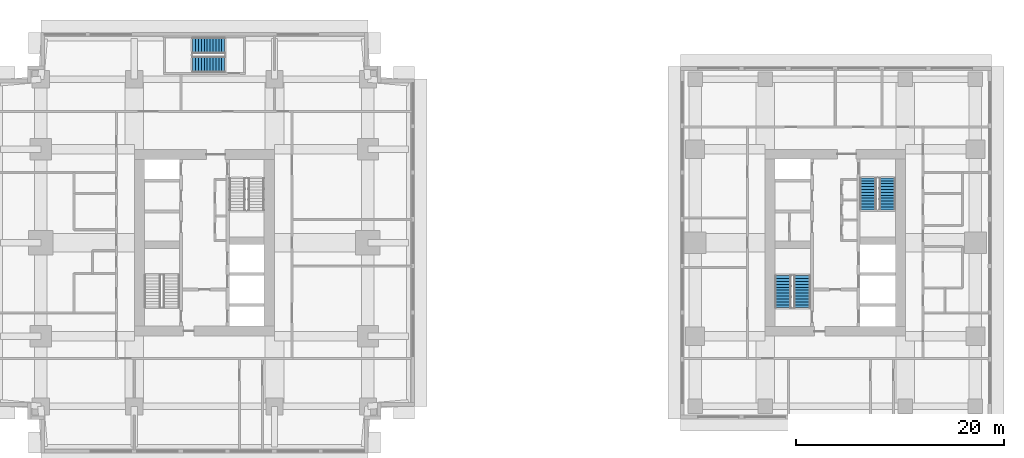
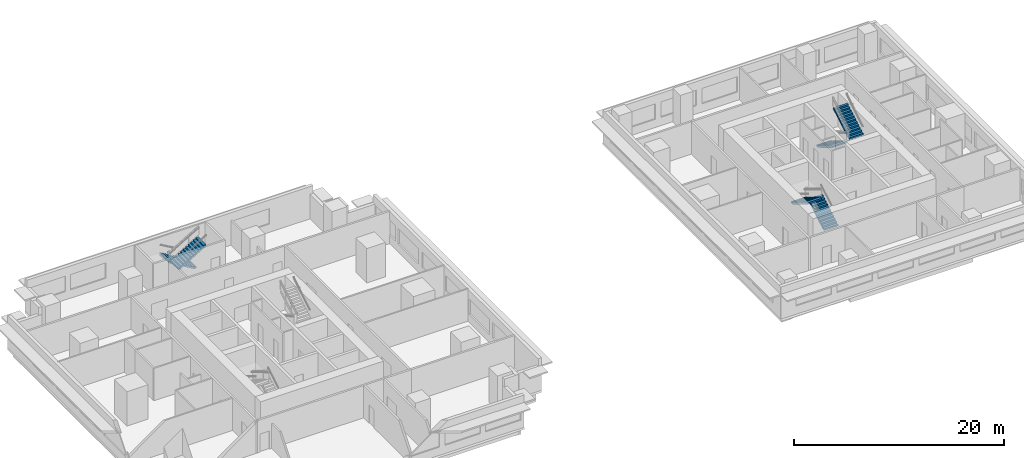
# One storey, part 9 of 11: 6 stair flights, 3 elements without a shape of their own.
"""IFC4 building model written with IfcOpenShell, lengths in metres."""

from ifc_helpers import new_model, si_unit, direction, frame, origin, place, context, subcontext, project, spatial, polyline, outline, extrude, material, type_object, element, aggregate, save


model = new_model("IFC4")

# Units and contexts
model_context = context("Model", 3, precision=1e-05, world=origin(), true_north=direction((0.0, 1.0)))
body_context = subcontext(model_context, "Body", "Model", "MODEL_VIEW")
ifc_project = project(units=[si_unit("LENGTHUNIT", "METRE"), si_unit("AREAUNIT", "SQUARE_METRE"), si_unit("VOLUMEUNIT", "CUBIC_METRE"), si_unit("PLANEANGLEUNIT", "RADIAN"), si_unit("MASSUNIT", "GRAM", prefix="KILO")], contexts=[model_context])

# Site, building, storey
site_placement = place(None, origin())
site = spatial("IfcSite", under=ifc_project, at=site_placement, CompositionType="ELEMENT")
building_placement = place(site_placement, origin())
building = spatial("IfcBuilding", under=site, at=building_placement, Name="Namib Vertical Campus", CompositionType="ELEMENT")
storey_placement = place(building_placement, frame((0.0, 0.0, 201.0)))
storey = spatial("IfcBuildingStorey", under=building, at=storey_placement, Name="L47", CompositionType="ELEMENT", Elevation=201.0)

# Stair, stair flights
ifc_material_1 = material(Name="Concrete C40/50 precast", Category="concrete")
stair_type_1 = type_object("IfcStairType", Name="Exit stair 4000 rise 24 risers 3350 wide", PredefinedType="HALF_TURN_STAIR", material=ifc_material_1)
stair_1_placement = place(storey_placement, origin())
stair_1 = element("IfcStair", 1, at=stair_1_placement, inside=storey, type_object=stair_type_1, Name="Exit stair A-S3 L47", PredefinedType="HALF_TURN_STAIR")
ifc_material_2 = material(Name="Concrete C40/50 precast", Category="concrete")
stair_flight_type_1 = type_object("IfcStairFlightType", Name="Stair flight 12 risers 167 1525 wide", PredefinedType="STRAIGHT", material=ifc_material_2)
stair_flight_1_placement = place(storey_placement, frame((22.199951171875, 39.237548828125, 0.0), z_axis=(0.0, 0.0, 1.0), x_axis=(-1.0, 0.0, 0.0)))
stair_flight_1 = element("IfcStairFlight", 2, at=stair_flight_1_placement, type_object=stair_flight_type_1, Name="A-S3 flight 1", NumberOfRisers=12, NumberOfTreads=11, PredefinedType="STRAIGHT", RiserHeight=0.166666667, TreadLength=0.28, context=body_context, shape_type="SweptSolid", body=[
    extrude(outline(polyline([(0.0, 0.0), (0.0, 0.166748046875), (0.280029296875, 0.166748046875), (0.280029296875, 0.333251953125), (0.56005859375, 0.333251953125), (0.56005859375, 0.5), (0.840087890625, 0.5), (0.840087890625, 0.666748046875), (1.1201171875, 0.666748046875), (1.1201171875, 0.833251953125), (1.39990234375, 0.833251953125), (1.39990234375, 1.0), (1.679931640625, 1.0), (1.679931640625, 1.166748046875), (1.9599609375, 1.166748046875), (1.9599609375, 1.333251953125), (2.239990234375, 1.333251953125), (2.239990234375, 1.5), (2.52001953125, 1.5), (2.52001953125, 1.666748046875), (2.800048828125, 1.666748046875), (2.800048828125, 1.833251953125), (3.080078125, 1.833251953125), (3.080078125, 2.0), (3.080078125, 1.658935546875), (0.29296875, 0.0), (0.0, 0.0)])), frame((0.0, 0.762451171875, 0.0), z_axis=(0.0, -1.0, 0.0), x_axis=(1.0, 0.0, 0.0)), (0.0, 0.0, 1.0), 1.52490234375),
])
stair_flight_2_placement = place(storey_placement, frame((19.1201171875, 37.41259765625, 2.0), z_axis=(0.0, 0.0, 1.0), x_axis=(1.0, 0.0, 0.0)))
stair_flight_2 = element("IfcStairFlight", 3, at=stair_flight_2_placement, type_object=stair_flight_type_1, Name="A-S3 flight 2", NumberOfRisers=12, NumberOfTreads=11, PredefinedType="STRAIGHT", RiserHeight=0.166666667, TreadLength=0.28, context=body_context, shape_type="SweptSolid", body=[
    extrude(outline(polyline([(0.0, 0.0), (0.0, 0.166748046875), (0.280029296875, 0.166748046875), (0.280029296875, 0.333251953125), (0.56005859375, 0.333251953125), (0.56005859375, 0.5), (0.840087890625, 0.5), (0.840087890625, 0.666748046875), (1.1201171875, 0.666748046875), (1.1201171875, 0.833251953125), (1.39990234375, 0.833251953125), (1.39990234375, 1.0), (1.679931640625, 1.0), (1.679931640625, 1.166748046875), (1.9599609375, 1.166748046875), (1.9599609375, 1.333251953125), (2.239990234375, 1.333251953125), (2.239990234375, 1.5), (2.52001953125, 1.5), (2.52001953125, 1.666748046875), (2.800048828125, 1.666748046875), (2.800048828125, 1.833251953125), (3.080078125, 1.833251953125), (3.080078125, 2.0), (3.080078125, 1.658935546875), (0.29296875, 0.0), (0.0, 0.0)])), frame((0.0, 0.762451171875, 0.0), z_axis=(0.0, -1.0, 0.0), x_axis=(1.0, 0.0, 0.0)), (0.0, 0.0, 1.0), 1.52490234375),
])
aggregate(stair_1, [stair_flight_1, stair_flight_2])

ifc_material_3 = material(Name="Concrete C40/50 precast", Category="concrete")
stair_type_2 = type_object("IfcStairType", Name="Exit stair 4000 rise 24 risers 3400 wide", PredefinedType="HALF_TURN_STAIR", material=ifc_material_3)
stair_2_placement = place(storey_placement, origin())
stair_2 = element("IfcStair", 4, at=stair_2_placement, inside=storey, type_object=stair_type_2, Name="Exit stair B-S1 L47", PredefinedType="HALF_TURN_STAIR")
ifc_material_4 = material(Name="Concrete C40/50 precast", Category="concrete")
stair_flight_type_2 = type_object("IfcStairFlightType", Name="Stair flight 12 risers 167 1550 wide", PredefinedType="STRAIGHT", material=ifc_material_4)
stair_flight_3_placement = place(storey_placement, frame((77.824951171875, 14.0, 0.0), z_axis=(0.0, 0.0, 1.0), x_axis=(0.0, 1.0, 0.0)))
stair_flight_3 = element("IfcStairFlight", 5, at=stair_flight_3_placement, type_object=stair_flight_type_2, Name="B-S1 flight 1", NumberOfRisers=12, NumberOfTreads=11, PredefinedType="STRAIGHT", RiserHeight=0.166666667, TreadLength=0.28, context=body_context, shape_type="SweptSolid", body=[
    extrude(outline(polyline([(0.0, 0.0), (0.0, 0.166748046875), (0.280029296875, 0.166748046875), (0.280029296875, 0.333251953125), (0.56005859375, 0.333251953125), (0.56005859375, 0.5), (0.840087890625, 0.5), (0.840087890625, 0.666748046875), (1.1201171875, 0.666748046875), (1.1201171875, 0.833251953125), (1.39990234375, 0.833251953125), (1.39990234375, 1.0), (1.679931640625, 1.0), (1.679931640625, 1.166748046875), (1.9599609375, 1.166748046875), (1.9599609375, 1.333251953125), (2.239990234375, 1.333251953125), (2.239990234375, 1.5), (2.52001953125, 1.5), (2.52001953125, 1.666748046875), (2.800048828125, 1.666748046875), (2.800048828125, 1.833251953125), (3.080078125, 1.833251953125), (3.080078125, 2.0), (3.080078125, 1.658935546875), (0.29296875, 0.0), (0.0, 0.0)])), frame((0.0, 0.77490234375, 0.0), z_axis=(0.0, -1.0, 0.0), x_axis=(1.0, 0.0, 0.0)), (0.0, 0.0, 1.0), 1.550048828125),
])
stair_flight_4_placement = place(storey_placement, frame((75.97509765625, 17.080078125, 2.0), z_axis=(0.0, 0.0, 1.0), x_axis=(0.0, -1.0, 0.0)))
stair_flight_4 = element("IfcStairFlight", 6, at=stair_flight_4_placement, type_object=stair_flight_type_2, Name="B-S1 flight 2", NumberOfRisers=12, NumberOfTreads=11, PredefinedType="STRAIGHT", RiserHeight=0.166666667, TreadLength=0.28, context=body_context, shape_type="SweptSolid", body=[
    extrude(outline(polyline([(0.0, 0.0), (0.0, 0.166748046875), (0.280029296875, 0.166748046875), (0.280029296875, 0.333251953125), (0.56005859375, 0.333251953125), (0.56005859375, 0.5), (0.840087890625, 0.5), (0.840087890625, 0.666748046875), (1.1201171875, 0.666748046875), (1.1201171875, 0.833251953125), (1.39990234375, 0.833251953125), (1.39990234375, 1.0), (1.679931640625, 1.0), (1.679931640625, 1.166748046875), (1.9599609375, 1.166748046875), (1.9599609375, 1.333251953125), (2.239990234375, 1.333251953125), (2.239990234375, 1.5), (2.52001953125, 1.5), (2.52001953125, 1.666748046875), (2.800048828125, 1.666748046875), (2.800048828125, 1.833251953125), (3.080078125, 1.833251953125), (3.080078125, 2.0), (3.080078125, 1.658935546875), (0.29296875, 0.0), (0.0, 0.0)])), frame((0.0, 0.77490234375, 0.0), z_axis=(0.0, -1.0, 0.0), x_axis=(1.0, 0.0, 0.0)), (0.0, 0.0, 1.0), 1.550048828125),
])
aggregate(stair_2, [stair_flight_3, stair_flight_4])

stair_3_placement = place(storey_placement, origin())
stair_3 = element("IfcStair", 7, at=stair_3_placement, inside=storey, type_object=stair_type_2, Name="Exit stair B-S2 L47", PredefinedType="HALF_TURN_STAIR")
stair_flight_5_placement = place(storey_placement, frame((84.175048828125, 26.5, 0.0), z_axis=(0.0, 0.0, 1.0), x_axis=(0.0, -1.0, 0.0)))
stair_flight_5 = element("IfcStairFlight", 8, at=stair_flight_5_placement, type_object=stair_flight_type_2, Name="B-S2 flight 1", NumberOfRisers=12, NumberOfTreads=11, PredefinedType="STRAIGHT", RiserHeight=0.166666667, TreadLength=0.28, context=body_context, shape_type="SweptSolid", body=[
    extrude(outline(polyline([(0.0, 0.0), (0.0, 0.166748046875), (0.280029296875, 0.166748046875), (0.280029296875, 0.333251953125), (0.56005859375, 0.333251953125), (0.56005859375, 0.5), (0.840087890625, 0.5), (0.840087890625, 0.666748046875), (1.1201171875, 0.666748046875), (1.1201171875, 0.833251953125), (1.39990234375, 0.833251953125), (1.39990234375, 1.0), (1.679931640625, 1.0), (1.679931640625, 1.166748046875), (1.9599609375, 1.166748046875), (1.9599609375, 1.333251953125), (2.239990234375, 1.333251953125), (2.239990234375, 1.5), (2.52001953125, 1.5), (2.52001953125, 1.666748046875), (2.800048828125, 1.666748046875), (2.800048828125, 1.833251953125), (3.080078125, 1.833251953125), (3.080078125, 2.0), (3.080078125, 1.658935546875), (0.29296875, 0.0), (0.0, 0.0)])), frame((0.0, 0.77490234375, 0.0), z_axis=(0.0, -1.0, 0.0), x_axis=(1.0, 0.0, 0.0)), (0.0, 0.0, 1.0), 1.550048828125),
])
stair_flight_6_placement = place(storey_placement, frame((86.02490234375, 23.419921875, 2.0), z_axis=(0.0, 0.0, 1.0), x_axis=(0.0, 1.0, 0.0)))
stair_flight_6 = element("IfcStairFlight", 9, at=stair_flight_6_placement, type_object=stair_flight_type_2, Name="B-S2 flight 2", NumberOfRisers=12, NumberOfTreads=11, PredefinedType="STRAIGHT", RiserHeight=0.166666667, TreadLength=0.28, context=body_context, shape_type="SweptSolid", body=[
    extrude(outline(polyline([(0.0, 0.0), (0.0, 0.166748046875), (0.280029296875, 0.166748046875), (0.280029296875, 0.333251953125), (0.56005859375, 0.333251953125), (0.56005859375, 0.5), (0.840087890625, 0.5), (0.840087890625, 0.666748046875), (1.1201171875, 0.666748046875), (1.1201171875, 0.833251953125), (1.39990234375, 0.833251953125), (1.39990234375, 1.0), (1.679931640625, 1.0), (1.679931640625, 1.166748046875), (1.9599609375, 1.166748046875), (1.9599609375, 1.333251953125), (2.239990234375, 1.333251953125), (2.239990234375, 1.5), (2.52001953125, 1.5), (2.52001953125, 1.666748046875), (2.800048828125, 1.666748046875), (2.800048828125, 1.833251953125), (3.080078125, 1.833251953125), (3.080078125, 2.0), (3.080078125, 1.658935546875), (0.29296875, 0.0), (0.0, 0.0)])), frame((0.0, 0.77490234375, 0.0), z_axis=(0.0, -1.0, 0.0), x_axis=(1.0, 0.0, 0.0)), (0.0, 0.0, 1.0), 1.550048828125),
])
aggregate(stair_3, [stair_flight_5, stair_flight_6])

save(model, "model.ifc")
